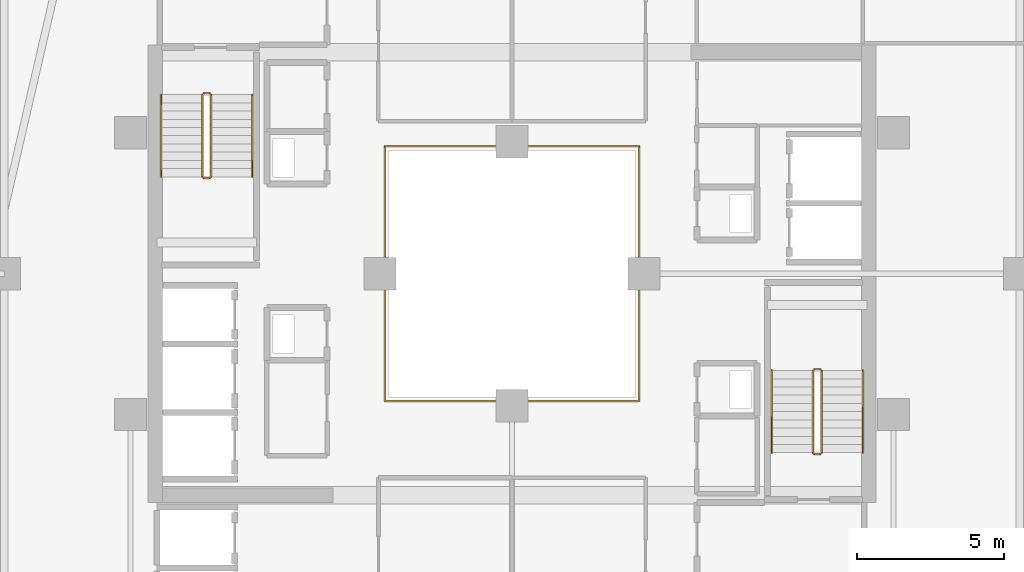
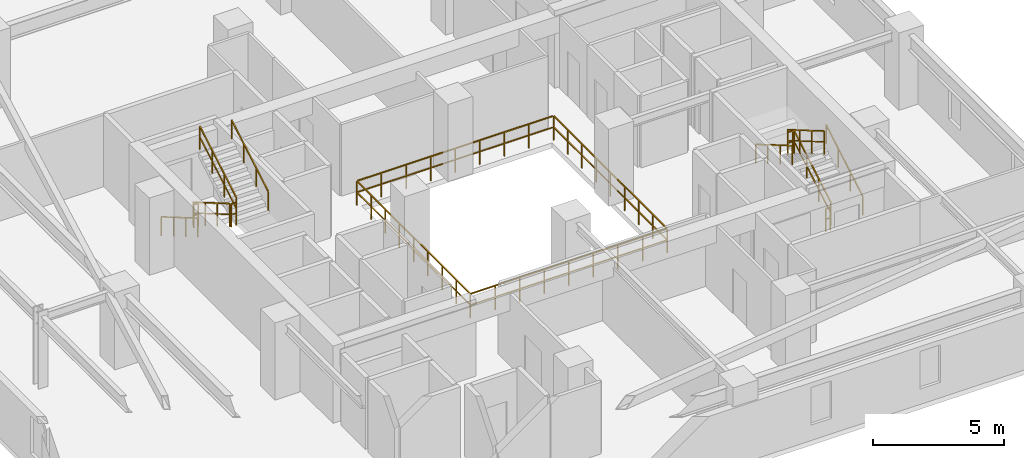
# One storey, part 31 of 32: 13 railings.
"""IFC4 building model written with IfcOpenShell, lengths in metres."""

from ifc_helpers import new_model, si_unit, direction, frame, origin, origin_2d, place, context, subcontext, project, spatial, rectangle, extrude, material, type_object, element, save


model = new_model("IFC4")

# Units and contexts
model_context = context("Model", 3, precision=1e-05, world=origin(), true_north=direction((0.0, 1.0)))
body_context = subcontext(model_context, "Body", "Model", "MODEL_VIEW")
ifc_project = project(units=[si_unit("LENGTHUNIT", "METRE"), si_unit("AREAUNIT", "SQUARE_METRE"), si_unit("VOLUMEUNIT", "CUBIC_METRE"), si_unit("PLANEANGLEUNIT", "RADIAN"), si_unit("MASSUNIT", "GRAM", prefix="KILO")], contexts=[model_context])

# Site, building, storey
site_placement = place(None, origin())
site = spatial("IfcSite", under=ifc_project, at=site_placement, CompositionType="ELEMENT")
building_placement = place(site_placement, origin())
building = spatial("IfcBuilding", under=site, at=building_placement, Name="Thornwick Lancets Civic Towers", CompositionType="ELEMENT")
storey_placement = place(building_placement, frame((0.0, 0.0, 182.10009765625)))
storey = spatial("IfcBuildingStorey", under=building, at=storey_placement, Name="L48", CompositionType="ELEMENT", Elevation=182.10009765625)

# Railings
ifc_material_1 = material(Name="Laminated glass and bronze steel S355", Category="steel")
railing_type_1 = type_object("IfcRailingType", Name="RAIL_ATRIUM_GUARD", PredefinedType="BALUSTRADE", material=ifc_material_1)
railing_1_placement = place(storey_placement, frame((84.159912109375, 22.659912109375, 0.0)))
element("IfcRailing", 1, at=railing_1_placement, inside=storey, type_object=railing_type_1, Name="L48 Tower B Central Atrium Guard Balustrade", PredefinedType="BALUSTRADE", context=body_context, shape_type="SweptSolid", body=[
    extrude(rectangle(XDim=0.048095703125, YDim=0.048095703125, at=origin_2d()), frame((0.0, 0.0, 1.1259765625), z_axis=(1.0, 0.0, 0.0), x_axis=(0.0, 1.0, 0.0)), (0.0, 0.0, 1.0), 8.64892578125),
    extrude(rectangle(XDim=0.0419921875, YDim=0.0419921875, at=origin_2d()), frame((0.03759765625, 0.0, 0.597900390625), z_axis=(1.0, 0.0, 0.0), x_axis=(0.0, 1.0, 0.0)), (0.0, 0.0, 1.0), 1.010009765625),
    extrude(rectangle(XDim=0.0419921875, YDim=0.0419921875, at=origin_2d()), frame((1.12255859375, 0.0, 0.597900390625), z_axis=(1.0, 0.0, 0.0), x_axis=(0.0, 1.0, 0.0)), (0.0, 0.0, 1.0), 1.010009765625),
    extrude(rectangle(XDim=0.0419921875, YDim=0.0419921875, at=origin_2d()), frame((2.20751953125, 0.0, 0.597900390625), z_axis=(1.0, 0.0, 0.0), x_axis=(0.0, 1.0, 0.0)), (0.0, 0.0, 1.0), 1.010009765625),
    extrude(rectangle(XDim=0.0419921875, YDim=0.0419921875, at=origin_2d()), frame((3.29248046875, 0.0, 0.597900390625), z_axis=(1.0, 0.0, 0.0), x_axis=(0.0, 1.0, 0.0)), (0.0, 0.0, 1.0), 1.010009765625),
    extrude(rectangle(XDim=0.0419921875, YDim=0.0419921875, at=origin_2d()), frame((4.377685546875, 0.0, 0.597900390625), z_axis=(1.0, 0.0, 0.0), x_axis=(0.0, 1.0, 0.0)), (0.0, 0.0, 1.0), 1.010009765625),
    extrude(rectangle(XDim=0.0419921875, YDim=0.0419921875, at=origin_2d()), frame((5.462646484375, 0.0, 0.597900390625), z_axis=(1.0, 0.0, 0.0), x_axis=(0.0, 1.0, 0.0)), (0.0, 0.0, 1.0), 1.010009765625),
    extrude(rectangle(XDim=0.0419921875, YDim=0.0419921875, at=origin_2d()), frame((6.547607421875, 0.0, 0.597900390625), z_axis=(1.0, 0.0, 0.0), x_axis=(0.0, 1.0, 0.0)), (0.0, 0.0, 1.0), 1.010009765625),
    extrude(rectangle(XDim=0.0419921875, YDim=0.0419921875, at=origin_2d()), frame((7.632568359375, 0.0, 0.597900390625), z_axis=(1.0, 0.0, 0.0), x_axis=(0.0, 1.0, 0.0)), (0.0, 0.0, 1.0), 1.010009765625),
    extrude(rectangle(XDim=0.048095703125, YDim=0.048095703125, at=origin_2d()), frame((8.68017578125, 0.03125, 1.1259765625), z_axis=(0.0, 1.0, 0.0), x_axis=(-1.0, 0.0, 0.0)), (0.0, 0.0, 1.0), 8.61767578125),
    extrude(rectangle(XDim=0.0419921875, YDim=0.0419921875, at=origin_2d()), frame((8.68017578125, 0.03759765625, 0.597900390625), z_axis=(0.0, 1.0, 0.0), x_axis=(-1.0, 0.0, 0.0)), (0.0, 0.0, 1.0), 1.010009765625),
    extrude(rectangle(XDim=0.0419921875, YDim=0.0419921875, at=origin_2d()), frame((8.68017578125, 1.12255859375, 0.597900390625), z_axis=(0.0, 1.0, 0.0), x_axis=(-1.0, 0.0, 0.0)), (0.0, 0.0, 1.0), 1.010009765625),
    extrude(rectangle(XDim=0.0419921875, YDim=0.0419921875, at=origin_2d()), frame((8.68017578125, 2.20751953125, 0.597900390625), z_axis=(0.0, 1.0, 0.0), x_axis=(-1.0, 0.0, 0.0)), (0.0, 0.0, 1.0), 1.010009765625),
    extrude(rectangle(XDim=0.0419921875, YDim=0.0419921875, at=origin_2d()), frame((8.68017578125, 3.29248046875, 0.597900390625), z_axis=(0.0, 1.0, 0.0), x_axis=(-1.0, 0.0, 0.0)), (0.0, 0.0, 1.0), 1.010009765625),
    extrude(rectangle(XDim=0.0419921875, YDim=0.0419921875, at=origin_2d()), frame((8.68017578125, 4.377685546875, 0.597900390625), z_axis=(0.0, 1.0, 0.0), x_axis=(-1.0, 0.0, 0.0)), (0.0, 0.0, 1.0), 1.010009765625),
    extrude(rectangle(XDim=0.0419921875, YDim=0.0419921875, at=origin_2d()), frame((8.68017578125, 5.462646484375, 0.597900390625), z_axis=(0.0, 1.0, 0.0), x_axis=(-1.0, 0.0, 0.0)), (0.0, 0.0, 1.0), 1.010009765625),
    extrude(rectangle(XDim=0.0419921875, YDim=0.0419921875, at=origin_2d()), frame((8.68017578125, 6.547607421875, 0.597900390625), z_axis=(0.0, 1.0, 0.0), x_axis=(-1.0, 0.0, 0.0)), (0.0, 0.0, 1.0), 1.010009765625),
    extrude(rectangle(XDim=0.0419921875, YDim=0.0419921875, at=origin_2d()), frame((8.68017578125, 7.632568359375, 0.597900390625), z_axis=(0.0, 1.0, 0.0), x_axis=(-1.0, 0.0, 0.0)), (0.0, 0.0, 1.0), 1.010009765625),
    extrude(rectangle(XDim=0.048095703125, YDim=0.048095703125, at=origin_2d()), frame((8.64892578125, 8.68017578125, 1.1259765625), z_axis=(-1.0, 0.0, 0.0), x_axis=(0.0, -1.0, 0.0)), (0.0, 0.0, 1.0), 8.61767578125),
    extrude(rectangle(XDim=0.0419921875, YDim=0.0419921875, at=origin_2d()), frame((8.642578125, 8.68017578125, 0.597900390625), z_axis=(-1.0, 0.0, 0.0), x_axis=(0.0, -1.0, 0.0)), (0.0, 0.0, 1.0), 1.010009765625),
    extrude(rectangle(XDim=0.0419921875, YDim=0.0419921875, at=origin_2d()), frame((7.5576171875, 8.68017578125, 0.597900390625), z_axis=(-1.0, 0.0, 0.0), x_axis=(0.0, -1.0, 0.0)), (0.0, 0.0, 1.0), 1.010009765625),
    extrude(rectangle(XDim=0.0419921875, YDim=0.0419921875, at=origin_2d()), frame((6.47265625, 8.68017578125, 0.597900390625), z_axis=(-1.0, 0.0, 0.0), x_axis=(0.0, -1.0, 0.0)), (0.0, 0.0, 1.0), 1.010009765625),
    extrude(rectangle(XDim=0.0419921875, YDim=0.0419921875, at=origin_2d()), frame((5.3876953125, 8.68017578125, 0.597900390625), z_axis=(-1.0, 0.0, 0.0), x_axis=(0.0, -1.0, 0.0)), (0.0, 0.0, 1.0), 1.010009765625),
    extrude(rectangle(XDim=0.0419921875, YDim=0.0419921875, at=origin_2d()), frame((4.302490234375, 8.68017578125, 0.597900390625), z_axis=(-1.0, 0.0, 0.0), x_axis=(0.0, -1.0, 0.0)), (0.0, 0.0, 1.0), 1.010009765625),
    extrude(rectangle(XDim=0.0419921875, YDim=0.0419921875, at=origin_2d()), frame((3.217529296875, 8.68017578125, 0.597900390625), z_axis=(-1.0, 0.0, 0.0), x_axis=(0.0, -1.0, 0.0)), (0.0, 0.0, 1.0), 1.010009765625),
    extrude(rectangle(XDim=0.0419921875, YDim=0.0419921875, at=origin_2d()), frame((2.132568359375, 8.68017578125, 0.597900390625), z_axis=(-1.0, 0.0, 0.0), x_axis=(0.0, -1.0, 0.0)), (0.0, 0.0, 1.0), 1.010009765625),
    extrude(rectangle(XDim=0.0419921875, YDim=0.0419921875, at=origin_2d()), frame((1.047607421875, 8.68017578125, 0.597900390625), z_axis=(-1.0, 0.0, 0.0), x_axis=(0.0, -1.0, 0.0)), (0.0, 0.0, 1.0), 1.010009765625),
    extrude(rectangle(XDim=0.048095703125, YDim=0.048095703125, at=origin_2d()), frame((0.0, 8.64892578125, 1.1259765625), z_axis=(0.0, -1.0, 0.0), x_axis=(1.0, 0.0, 0.0)), (0.0, 0.0, 1.0), 8.64892578125),
    extrude(rectangle(XDim=0.0419921875, YDim=0.0419921875, at=origin_2d()), frame((0.0, 8.642578125, 0.597900390625), z_axis=(0.0, -1.0, 0.0), x_axis=(1.0, 0.0, 0.0)), (0.0, 0.0, 1.0), 1.010009765625),
    extrude(rectangle(XDim=0.0419921875, YDim=0.0419921875, at=origin_2d()), frame((0.0, 7.5576171875, 0.597900390625), z_axis=(0.0, -1.0, 0.0), x_axis=(1.0, 0.0, 0.0)), (0.0, 0.0, 1.0), 1.010009765625),
    extrude(rectangle(XDim=0.0419921875, YDim=0.0419921875, at=origin_2d()), frame((0.0, 6.47265625, 0.597900390625), z_axis=(0.0, -1.0, 0.0), x_axis=(1.0, 0.0, 0.0)), (0.0, 0.0, 1.0), 1.010009765625),
    extrude(rectangle(XDim=0.0419921875, YDim=0.0419921875, at=origin_2d()), frame((0.0, 5.3876953125, 0.597900390625), z_axis=(0.0, -1.0, 0.0), x_axis=(1.0, 0.0, 0.0)), (0.0, 0.0, 1.0), 1.010009765625),
    extrude(rectangle(XDim=0.0419921875, YDim=0.0419921875, at=origin_2d()), frame((0.0, 4.302490234375, 0.597900390625), z_axis=(0.0, -1.0, 0.0), x_axis=(1.0, 0.0, 0.0)), (0.0, 0.0, 1.0), 1.010009765625),
    extrude(rectangle(XDim=0.0419921875, YDim=0.0419921875, at=origin_2d()), frame((0.0, 3.217529296875, 0.597900390625), z_axis=(0.0, -1.0, 0.0), x_axis=(1.0, 0.0, 0.0)), (0.0, 0.0, 1.0), 1.010009765625),
    extrude(rectangle(XDim=0.0419921875, YDim=0.0419921875, at=origin_2d()), frame((0.0, 2.132568359375, 0.597900390625), z_axis=(0.0, -1.0, 0.0), x_axis=(1.0, 0.0, 0.0)), (0.0, 0.0, 1.0), 1.010009765625),
    extrude(rectangle(XDim=0.0419921875, YDim=0.0419921875, at=origin_2d()), frame((0.0, 1.047607421875, 0.597900390625), z_axis=(0.0, -1.0, 0.0), x_axis=(1.0, 0.0, 0.0)), (0.0, 0.0, 1.0), 1.010009765625),
    extrude(rectangle(XDim=0.0419921875, YDim=0.0419921875, at=origin_2d()), origin(), (0.0, 0.0, 1.0), 1.095703125),
    extrude(rectangle(XDim=0.0419921875, YDim=0.0419921875, at=origin_2d()), frame((1.0849609375, 0.0, 0.0)), (0.0, 0.0, 1.0), 1.095703125),
    extrude(rectangle(XDim=0.0419921875, YDim=0.0419921875, at=origin_2d()), frame((2.169921875, 0.0, 0.0)), (0.0, 0.0, 1.0), 1.095703125),
    extrude(rectangle(XDim=0.0419921875, YDim=0.0419921875, at=origin_2d()), frame((3.255126953125, 0.0, 0.0)), (0.0, 0.0, 1.0), 1.095703125),
    extrude(rectangle(XDim=0.0419921875, YDim=0.0419921875, at=origin_2d()), frame((4.340087890625, 0.0, 0.0)), (0.0, 0.0, 1.0), 1.095703125),
    extrude(rectangle(XDim=0.0419921875, YDim=0.0419921875, at=origin_2d()), frame((5.425048828125, 0.0, 0.0)), (0.0, 0.0, 1.0), 1.095703125),
    extrude(rectangle(XDim=0.0419921875, YDim=0.0419921875, at=origin_2d()), frame((6.51025390625, 0.0, 0.0)), (0.0, 0.0, 1.0), 1.095703125),
    extrude(rectangle(XDim=0.0419921875, YDim=0.0419921875, at=origin_2d()), frame((7.59521484375, 0.0, 0.0)), (0.0, 0.0, 1.0), 1.095703125),
    extrude(rectangle(XDim=0.0419921875, YDim=0.0419921875, at=origin_2d()), frame((8.68017578125, 0.0, 0.0)), (0.0, 0.0, 1.0), 1.095703125),
    extrude(rectangle(XDim=0.0419921875, YDim=0.0419921875, at=origin_2d()), frame((8.68017578125, 1.0849609375, 0.0)), (0.0, 0.0, 1.0), 1.095703125),
    extrude(rectangle(XDim=0.0419921875, YDim=0.0419921875, at=origin_2d()), frame((8.68017578125, 2.169921875, 0.0)), (0.0, 0.0, 1.0), 1.095703125),
    extrude(rectangle(XDim=0.0419921875, YDim=0.0419921875, at=origin_2d()), frame((8.68017578125, 3.255126953125, 0.0)), (0.0, 0.0, 1.0), 1.095703125),
    extrude(rectangle(XDim=0.0419921875, YDim=0.0419921875, at=origin_2d()), frame((8.68017578125, 4.340087890625, 0.0)), (0.0, 0.0, 1.0), 1.095703125),
    extrude(rectangle(XDim=0.0419921875, YDim=0.0419921875, at=origin_2d()), frame((8.68017578125, 5.425048828125, 0.0)), (0.0, 0.0, 1.0), 1.095703125),
    extrude(rectangle(XDim=0.0419921875, YDim=0.0419921875, at=origin_2d()), frame((8.68017578125, 6.51025390625, 0.0)), (0.0, 0.0, 1.0), 1.095703125),
    extrude(rectangle(XDim=0.0419921875, YDim=0.0419921875, at=origin_2d()), frame((8.68017578125, 7.59521484375, 0.0)), (0.0, 0.0, 1.0), 1.095703125),
    extrude(rectangle(XDim=0.0419921875, YDim=0.0419921875, at=origin_2d()), frame((8.68017578125, 8.68017578125, 0.0)), (0.0, 0.0, 1.0), 1.095703125),
    extrude(rectangle(XDim=0.0419921875, YDim=0.0419921875, at=origin_2d()), frame((7.59521484375, 8.68017578125, 0.0)), (0.0, 0.0, 1.0), 1.095703125),
    extrude(rectangle(XDim=0.0419921875, YDim=0.0419921875, at=origin_2d()), frame((6.51025390625, 8.68017578125, 0.0)), (0.0, 0.0, 1.0), 1.095703125),
    extrude(rectangle(XDim=0.0419921875, YDim=0.0419921875, at=origin_2d()), frame((5.425048828125, 8.68017578125, 0.0)), (0.0, 0.0, 1.0), 1.095703125),
    extrude(rectangle(XDim=0.0419921875, YDim=0.0419921875, at=origin_2d()), frame((4.340087890625, 8.68017578125, 0.0)), (0.0, 0.0, 1.0), 1.095703125),
    extrude(rectangle(XDim=0.0419921875, YDim=0.0419921875, at=origin_2d()), frame((3.255126953125, 8.68017578125, 0.0)), (0.0, 0.0, 1.0), 1.095703125),
    extrude(rectangle(XDim=0.0419921875, YDim=0.0419921875, at=origin_2d()), frame((2.169921875, 8.68017578125, 0.0)), (0.0, 0.0, 1.0), 1.095703125),
    extrude(rectangle(XDim=0.0419921875, YDim=0.0419921875, at=origin_2d()), frame((1.0849609375, 8.68017578125, 0.0)), (0.0, 0.0, 1.0), 1.095703125),
    extrude(rectangle(XDim=0.0419921875, YDim=0.0419921875, at=origin_2d()), frame((0.0, 8.68017578125, 0.0)), (0.0, 0.0, 1.0), 1.095703125),
    extrude(rectangle(XDim=0.0419921875, YDim=0.0419921875, at=origin_2d()), frame((0.0, 7.59521484375, 0.0)), (0.0, 0.0, 1.0), 1.095703125),
    extrude(rectangle(XDim=0.0419921875, YDim=0.0419921875, at=origin_2d()), frame((0.0, 6.51025390625, 0.0)), (0.0, 0.0, 1.0), 1.095703125),
    extrude(rectangle(XDim=0.0419921875, YDim=0.0419921875, at=origin_2d()), frame((0.0, 5.425048828125, 0.0)), (0.0, 0.0, 1.0), 1.095703125),
    extrude(rectangle(XDim=0.0419921875, YDim=0.0419921875, at=origin_2d()), frame((0.0, 4.340087890625, 0.0)), (0.0, 0.0, 1.0), 1.095703125),
    extrude(rectangle(XDim=0.0419921875, YDim=0.0419921875, at=origin_2d()), frame((0.0, 3.255126953125, 0.0)), (0.0, 0.0, 1.0), 1.095703125),
    extrude(rectangle(XDim=0.0419921875, YDim=0.0419921875, at=origin_2d()), frame((0.0, 2.169921875, 0.0)), (0.0, 0.0, 1.0), 1.095703125),
    extrude(rectangle(XDim=0.0419921875, YDim=0.0419921875, at=origin_2d()), frame((0.0, 1.0849609375, 0.0)), (0.0, 0.0, 1.0), 1.095703125),
])
ifc_material_2 = material(Name="Brushed stainless steel S355", Category="steel")
railing_type_2 = type_object("IfcRailingType", Name="RAIL_HANDRAIL", PredefinedType="HANDRAIL", material=ifc_material_2)
railing_2_placement = place(storey_placement, frame((100.449951171875, 20.89990234375, 0.16357421875)))
element("IfcRailing", 2, at=railing_2_placement, inside=storey, type_object=railing_type_2, Name="L48 ST-B1 stair handrail 1", PredefinedType="HANDRAIL", context=body_context, shape_type="SweptSolid", body=[
    extrude(rectangle(XDim=0.048095703125, YDim=0.048095703125, at=origin_2d()), frame((0.0, 0.0, 0.8857421875), z_axis=(0.0, 0.863393664356, 0.504530851732), x_axis=(-1.0, 0.0, 0.0)), (0.0, 0.0, 1.0), 3.2431640625),
    extrude(rectangle(XDim=0.0419921875, YDim=0.0419921875, at=origin_2d()), origin(), (0.0, 0.0, 1.0), 0.855712890625),
    extrude(rectangle(XDim=0.0419921875, YDim=0.0419921875, at=origin_2d()), frame((0.0, 0.933349609375, 0.54541015625)), (0.0, 0.0, 1.0), 0.855712890625),
    extrude(rectangle(XDim=0.0419921875, YDim=0.0419921875, at=origin_2d()), frame((0.0, 1.86669921875, 1.0908203125)), (0.0, 0.0, 1.0), 0.855712890625),
    extrude(rectangle(XDim=0.0419921875, YDim=0.0419921875, at=origin_2d()), frame((0.0, 2.800048828125, 1.63623046875)), (0.0, 0.0, 1.0), 0.855712890625),
])
for number, where, name in (
    (3, (97.35009765625, 23.699951171875, 1.963623046875), "L48 ST-B1 stair handrail 2"),
    (4, (76.550048828125, 33.10009765625, 0.16357421875), "L48 ST-B2 stair handrail 1"),
):
    element("IfcRailing", number, at=place(storey_placement, frame(where)), inside=storey, type_object=railing_type_2, Name=name, PredefinedType="HANDRAIL", context=body_context, shape_type="SweptSolid", body=[
        extrude(rectangle(XDim=0.048095703125, YDim=0.048095703125, at=origin_2d()), frame((0.0, 0.0, 0.8857421875), z_axis=(0.0, -0.863393664356, 0.504530851732), x_axis=(1.0, 0.0, 0.0)), (0.0, 0.0, 1.0), 3.2431640625),
        extrude(rectangle(XDim=0.0419921875, YDim=0.0419921875, at=origin_2d()), origin(), (0.0, 0.0, 1.0), 0.855712890625),
        extrude(rectangle(XDim=0.0419921875, YDim=0.0419921875, at=origin_2d()), frame((0.0, -0.933349609375, 0.54541015625)), (0.0, 0.0, 1.0), 0.855712890625),
        extrude(rectangle(XDim=0.0419921875, YDim=0.0419921875, at=origin_2d()), frame((0.0, -1.86669921875, 1.0908203125)), (0.0, 0.0, 1.0), 0.855712890625),
        extrude(rectangle(XDim=0.0419921875, YDim=0.0419921875, at=origin_2d()), frame((0.0, -2.800048828125, 1.63623046875)), (0.0, 0.0, 1.0), 0.855712890625),
    ])
railing_3_placement = place(storey_placement, frame((79.64990234375, 30.300048828125, 1.963623046875)))
element("IfcRailing", 5, at=railing_3_placement, inside=storey, type_object=railing_type_2, Name="L48 ST-B2 stair handrail 2", PredefinedType="HANDRAIL", context=body_context, shape_type="SweptSolid", body=[
    extrude(rectangle(XDim=0.048095703125, YDim=0.048095703125, at=origin_2d()), frame((0.0, 0.0, 0.8857421875), z_axis=(0.0, 0.863393664356, 0.504530851732), x_axis=(-1.0, 0.0, 0.0)), (0.0, 0.0, 1.0), 3.2431640625),
    extrude(rectangle(XDim=0.0419921875, YDim=0.0419921875, at=origin_2d()), origin(), (0.0, 0.0, 1.0), 0.855712890625),
    extrude(rectangle(XDim=0.0419921875, YDim=0.0419921875, at=origin_2d()), frame((0.0, 0.933349609375, 0.54541015625)), (0.0, 0.0, 1.0), 0.855712890625),
    extrude(rectangle(XDim=0.0419921875, YDim=0.0419921875, at=origin_2d()), frame((0.0, 1.86669921875, 1.0908203125)), (0.0, 0.0, 1.0), 0.855712890625),
    extrude(rectangle(XDim=0.0419921875, YDim=0.0419921875, at=origin_2d()), frame((0.0, 2.800048828125, 1.63623046875)), (0.0, 0.0, 1.0), 0.855712890625),
])
ifc_material_3 = material(Name="Steel S355JR", Category="steel")
railing_type_3 = type_object("IfcRailingType", Name="RAIL_STAIR_GUARD", PredefinedType="GUARDRAIL", material=ifc_material_3)
railing_4_placement = place(storey_placement, frame((99.050048828125, 20.89990234375, 0.16357421875)))
element("IfcRailing", 6, at=railing_4_placement, inside=storey, type_object=railing_type_3, Name="L48 ST-B1 stair guard 1", PredefinedType="GUARDRAIL", context=body_context, shape_type="SweptSolid", body=[
    extrude(rectangle(XDim=0.048095703125, YDim=0.048095703125, at=origin_2d()), frame((0.0, 0.0, 1.076171875), z_axis=(0.0, 0.863393664356, 0.504530851732), x_axis=(-1.0, 0.0, 0.0)), (0.0, 0.0, 1.0), 3.2431640625),
    extrude(rectangle(XDim=0.0419921875, YDim=0.0419921875, at=origin_2d()), frame((0.0, 0.032470703125, 0.591064453125), z_axis=(0.0, 0.863393664356, 0.504530851732), x_axis=(-1.0, 0.0, 0.0)), (0.0, 0.0, 1.0), 1.006103515625),
    extrude(rectangle(XDim=0.0419921875, YDim=0.0419921875, at=origin_2d()), frame((0.0, 0.9658203125, 1.136474609375), z_axis=(0.0, 0.863393664356, 0.504530851732), x_axis=(-1.0, 0.0, 0.0)), (0.0, 0.0, 1.0), 1.006103515625),
    extrude(rectangle(XDim=0.0419921875, YDim=0.0419921875, at=origin_2d()), frame((0.0, 1.899169921875, 1.681884765625), z_axis=(0.0, 0.863393664356, 0.504530851732), x_axis=(-1.0, 0.0, 0.0)), (0.0, 0.0, 1.0), 1.006103515625),
    extrude(rectangle(XDim=0.0419921875, YDim=0.0419921875, at=origin_2d()), origin(), (0.0, 0.0, 1.0), 1.0458984375),
    extrude(rectangle(XDim=0.0419921875, YDim=0.0419921875, at=origin_2d()), frame((0.0, 0.933349609375, 0.54541015625)), (0.0, 0.0, 1.0), 1.0458984375),
    extrude(rectangle(XDim=0.0419921875, YDim=0.0419921875, at=origin_2d()), frame((0.0, 1.86669921875, 1.0908203125)), (0.0, 0.0, 1.0), 1.0458984375),
    extrude(rectangle(XDim=0.0419921875, YDim=0.0419921875, at=origin_2d()), frame((0.0, 2.800048828125, 1.63623046875)), (0.0, 0.0, 1.0), 1.0458984375),
])
railing_5_placement = place(storey_placement, frame((99.0, 23.75, 1.7998046875)))
element("IfcRailing", 7, at=railing_5_placement, inside=storey, type_object=railing_type_3, Name="L48 ST-B1 stair guard 2", PredefinedType="GUARDRAIL", context=body_context, shape_type="SweptSolid", body=[
    extrude(rectangle(XDim=0.048095703125, YDim=0.048095703125, at=origin_2d()), frame((0.0, 0.0, 1.076171875), z_axis=(-1.0, 0.0, 0.0), x_axis=(0.0, -1.0, 0.0)), (0.0, 0.0, 1.0), 0.199951171875),
    extrude(rectangle(XDim=0.0419921875, YDim=0.0419921875, at=origin_2d()), frame((-0.03759765625, 0.0, 0.572021484375), z_axis=(-1.0, 0.0, 0.0), x_axis=(0.0, -1.0, 0.0)), (0.0, 0.0, 1.0), 0.125),
    extrude(rectangle(XDim=0.0419921875, YDim=0.0419921875, at=origin_2d()), origin(), (0.0, 0.0, 1.0), 1.0458984375),
    extrude(rectangle(XDim=0.0419921875, YDim=0.0419921875, at=origin_2d()), frame((-0.199951171875, 0.0, 0.0)), (0.0, 0.0, 1.0), 1.0458984375),
])
railing_6_placement = place(storey_placement, frame((98.75, 23.699951171875, 1.963623046875)))
element("IfcRailing", 8, at=railing_6_placement, inside=storey, type_object=railing_type_3, Name="L48 ST-B1 stair guard 3", PredefinedType="GUARDRAIL", context=body_context, shape_type="SweptSolid", body=[
    extrude(rectangle(XDim=0.048095703125, YDim=0.048095703125, at=origin_2d()), frame((0.0, 0.0, 1.076171875), z_axis=(0.0, -0.863393664356, 0.504530851732), x_axis=(1.0, 0.0, 0.0)), (0.0, 0.0, 1.0), 3.2431640625),
    extrude(rectangle(XDim=0.0419921875, YDim=0.0419921875, at=origin_2d()), frame((0.0, -0.032470703125, 0.591064453125), z_axis=(0.0, -0.863393664356, 0.504530851732), x_axis=(1.0, 0.0, 0.0)), (0.0, 0.0, 1.0), 1.006103515625),
    extrude(rectangle(XDim=0.0419921875, YDim=0.0419921875, at=origin_2d()), frame((0.0, -0.9658203125, 1.136474609375), z_axis=(0.0, -0.863393664356, 0.504530851732), x_axis=(1.0, 0.0, 0.0)), (0.0, 0.0, 1.0), 1.006103515625),
    extrude(rectangle(XDim=0.0419921875, YDim=0.0419921875, at=origin_2d()), frame((0.0, -1.899169921875, 1.681884765625), z_axis=(0.0, -0.863393664356, 0.504530851732), x_axis=(1.0, 0.0, 0.0)), (0.0, 0.0, 1.0), 1.006103515625),
    extrude(rectangle(XDim=0.0419921875, YDim=0.0419921875, at=origin_2d()), origin(), (0.0, 0.0, 1.0), 1.0458984375),
    extrude(rectangle(XDim=0.0419921875, YDim=0.0419921875, at=origin_2d()), frame((0.0, -0.933349609375, 0.54541015625)), (0.0, 0.0, 1.0), 1.0458984375),
    extrude(rectangle(XDim=0.0419921875, YDim=0.0419921875, at=origin_2d()), frame((0.0, -1.86669921875, 1.0908203125)), (0.0, 0.0, 1.0), 1.0458984375),
    extrude(rectangle(XDim=0.0419921875, YDim=0.0419921875, at=origin_2d()), frame((0.0, -2.800048828125, 1.63623046875)), (0.0, 0.0, 1.0), 1.0458984375),
])
railing_7_placement = place(storey_placement, frame((99.0, 20.85009765625, 0.0)))
element("IfcRailing", 9, at=railing_7_placement, inside=storey, type_object=railing_type_3, Name="L48 ST-B1 stair guard 4", PredefinedType="GUARDRAIL", context=body_context, shape_type="SweptSolid", body=[
    extrude(rectangle(XDim=0.048095703125, YDim=0.048095703125, at=origin_2d()), frame((0.0, 0.0, 1.076171875), z_axis=(-1.0, 0.0, 0.0), x_axis=(0.0, -1.0, 0.0)), (0.0, 0.0, 1.0), 0.199951171875),
    extrude(rectangle(XDim=0.0419921875, YDim=0.0419921875, at=origin_2d()), frame((-0.03759765625, 0.0, 0.572021484375), z_axis=(-1.0, 0.0, 0.0), x_axis=(0.0, -1.0, 0.0)), (0.0, 0.0, 1.0), 0.125),
    extrude(rectangle(XDim=0.0419921875, YDim=0.0419921875, at=origin_2d()), origin(), (0.0, 0.0, 1.0), 1.0458984375),
    extrude(rectangle(XDim=0.0419921875, YDim=0.0419921875, at=origin_2d()), frame((-0.199951171875, 0.0, 0.0)), (0.0, 0.0, 1.0), 1.0458984375),
])
railing_8_placement = place(storey_placement, frame((77.949951171875, 33.10009765625, 0.16357421875)))
element("IfcRailing", 10, at=railing_8_placement, inside=storey, type_object=railing_type_3, Name="L48 ST-B2 stair guard 1", PredefinedType="GUARDRAIL", context=body_context, shape_type="SweptSolid", body=[
    extrude(rectangle(XDim=0.048095703125, YDim=0.048095703125, at=origin_2d()), frame((0.0, 0.0, 1.076171875), z_axis=(0.0, -0.863393664356, 0.504530851732), x_axis=(1.0, 0.0, 0.0)), (0.0, 0.0, 1.0), 3.2431640625),
    extrude(rectangle(XDim=0.0419921875, YDim=0.0419921875, at=origin_2d()), frame((0.0, -0.032470703125, 0.591064453125), z_axis=(0.0, -0.863393664356, 0.504530851732), x_axis=(1.0, 0.0, 0.0)), (0.0, 0.0, 1.0), 1.006103515625),
    extrude(rectangle(XDim=0.0419921875, YDim=0.0419921875, at=origin_2d()), frame((0.0, -0.9658203125, 1.136474609375), z_axis=(0.0, -0.863393664356, 0.504530851732), x_axis=(1.0, 0.0, 0.0)), (0.0, 0.0, 1.0), 1.006103515625),
    extrude(rectangle(XDim=0.0419921875, YDim=0.0419921875, at=origin_2d()), frame((0.0, -1.899169921875, 1.681884765625), z_axis=(0.0, -0.863393664356, 0.504530851732), x_axis=(1.0, 0.0, 0.0)), (0.0, 0.0, 1.0), 1.006103515625),
    extrude(rectangle(XDim=0.0419921875, YDim=0.0419921875, at=origin_2d()), origin(), (0.0, 0.0, 1.0), 1.0458984375),
    extrude(rectangle(XDim=0.0419921875, YDim=0.0419921875, at=origin_2d()), frame((0.0, -0.933349609375, 0.54541015625)), (0.0, 0.0, 1.0), 1.0458984375),
    extrude(rectangle(XDim=0.0419921875, YDim=0.0419921875, at=origin_2d()), frame((0.0, -1.86669921875, 1.0908203125)), (0.0, 0.0, 1.0), 1.0458984375),
    extrude(rectangle(XDim=0.0419921875, YDim=0.0419921875, at=origin_2d()), frame((0.0, -2.800048828125, 1.63623046875)), (0.0, 0.0, 1.0), 1.0458984375),
])
railing_9_placement = place(storey_placement, frame((78.0, 30.25, 1.7998046875)))
element("IfcRailing", 11, at=railing_9_placement, inside=storey, type_object=railing_type_3, Name="L48 ST-B2 stair guard 2", PredefinedType="GUARDRAIL", context=body_context, shape_type="SweptSolid", body=[
    extrude(rectangle(XDim=0.048095703125, YDim=0.048095703125, at=origin_2d()), frame((0.0, 0.0, 1.076171875), z_axis=(1.0, 0.0, 0.0), x_axis=(0.0, 1.0, 0.0)), (0.0, 0.0, 1.0), 0.199951171875),
    extrude(rectangle(XDim=0.0419921875, YDim=0.0419921875, at=origin_2d()), frame((0.03759765625, 0.0, 0.572021484375), z_axis=(1.0, 0.0, 0.0), x_axis=(0.0, 1.0, 0.0)), (0.0, 0.0, 1.0), 0.125),
    extrude(rectangle(XDim=0.0419921875, YDim=0.0419921875, at=origin_2d()), origin(), (0.0, 0.0, 1.0), 1.0458984375),
    extrude(rectangle(XDim=0.0419921875, YDim=0.0419921875, at=origin_2d()), frame((0.199951171875, 0.0, 0.0)), (0.0, 0.0, 1.0), 1.0458984375),
])
railing_10_placement = place(storey_placement, frame((78.25, 30.300048828125, 1.963623046875)))
element("IfcRailing", 12, at=railing_10_placement, inside=storey, type_object=railing_type_3, Name="L48 ST-B2 stair guard 3", PredefinedType="GUARDRAIL", context=body_context, shape_type="SweptSolid", body=[
    extrude(rectangle(XDim=0.048095703125, YDim=0.048095703125, at=origin_2d()), frame((0.0, 0.0, 1.076171875), z_axis=(0.0, 0.863393664356, 0.504530851732), x_axis=(-1.0, 0.0, 0.0)), (0.0, 0.0, 1.0), 3.2431640625),
    extrude(rectangle(XDim=0.0419921875, YDim=0.0419921875, at=origin_2d()), frame((0.0, 0.032470703125, 0.591064453125), z_axis=(0.0, 0.863393664356, 0.504530851732), x_axis=(-1.0, 0.0, 0.0)), (0.0, 0.0, 1.0), 1.006103515625),
    extrude(rectangle(XDim=0.0419921875, YDim=0.0419921875, at=origin_2d()), frame((0.0, 0.9658203125, 1.136474609375), z_axis=(0.0, 0.863393664356, 0.504530851732), x_axis=(-1.0, 0.0, 0.0)), (0.0, 0.0, 1.0), 1.006103515625),
    extrude(rectangle(XDim=0.0419921875, YDim=0.0419921875, at=origin_2d()), frame((0.0, 1.899169921875, 1.681884765625), z_axis=(0.0, 0.863393664356, 0.504530851732), x_axis=(-1.0, 0.0, 0.0)), (0.0, 0.0, 1.0), 1.006103515625),
    extrude(rectangle(XDim=0.0419921875, YDim=0.0419921875, at=origin_2d()), origin(), (0.0, 0.0, 1.0), 1.0458984375),
    extrude(rectangle(XDim=0.0419921875, YDim=0.0419921875, at=origin_2d()), frame((0.0, 0.933349609375, 0.54541015625)), (0.0, 0.0, 1.0), 1.0458984375),
    extrude(rectangle(XDim=0.0419921875, YDim=0.0419921875, at=origin_2d()), frame((0.0, 1.86669921875, 1.0908203125)), (0.0, 0.0, 1.0), 1.0458984375),
    extrude(rectangle(XDim=0.0419921875, YDim=0.0419921875, at=origin_2d()), frame((0.0, 2.800048828125, 1.63623046875)), (0.0, 0.0, 1.0), 1.0458984375),
])
railing_11_placement = place(storey_placement, frame((78.0, 33.14990234375, 0.0)))
element("IfcRailing", 13, at=railing_11_placement, inside=storey, type_object=railing_type_3, Name="L48 ST-B2 stair guard 4", PredefinedType="GUARDRAIL", context=body_context, shape_type="SweptSolid", body=[
    extrude(rectangle(XDim=0.048095703125, YDim=0.048095703125, at=origin_2d()), frame((0.0, 0.0, 1.076171875), z_axis=(1.0, 0.0, 0.0), x_axis=(0.0, 1.0, 0.0)), (0.0, 0.0, 1.0), 0.199951171875),
    extrude(rectangle(XDim=0.0419921875, YDim=0.0419921875, at=origin_2d()), frame((0.03759765625, 0.0, 0.572021484375), z_axis=(1.0, 0.0, 0.0), x_axis=(0.0, 1.0, 0.0)), (0.0, 0.0, 1.0), 0.125),
    extrude(rectangle(XDim=0.0419921875, YDim=0.0419921875, at=origin_2d()), origin(), (0.0, 0.0, 1.0), 1.0458984375),
    extrude(rectangle(XDim=0.0419921875, YDim=0.0419921875, at=origin_2d()), frame((0.199951171875, 0.0, 0.0)), (0.0, 0.0, 1.0), 1.0458984375),
])

save(model, "model.ifc")
